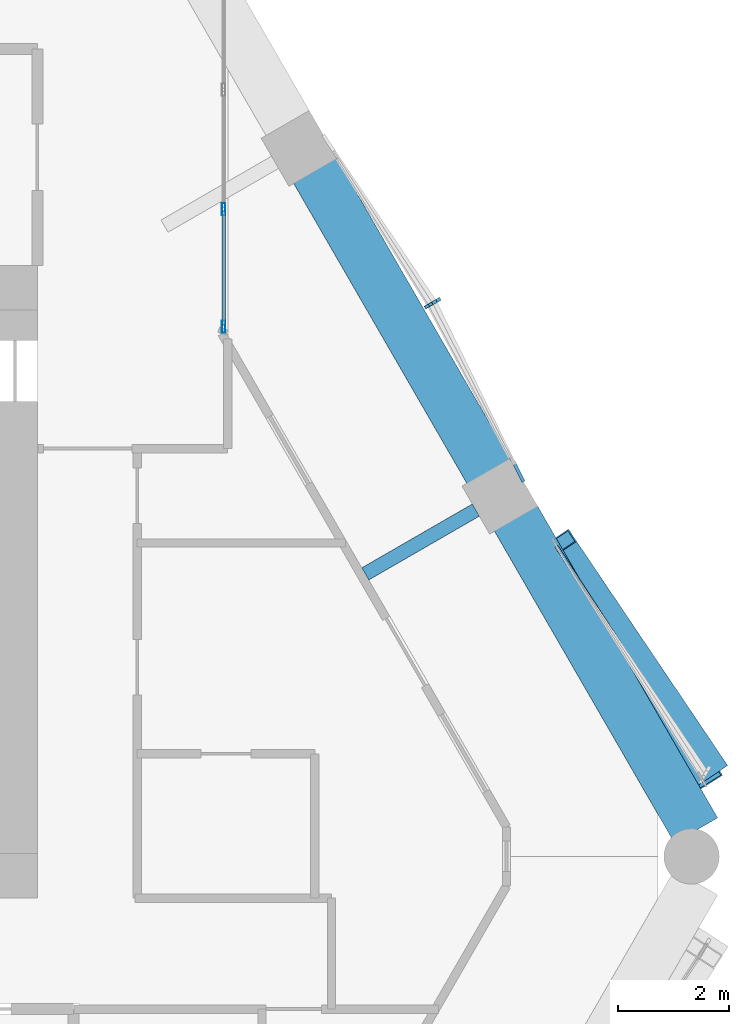
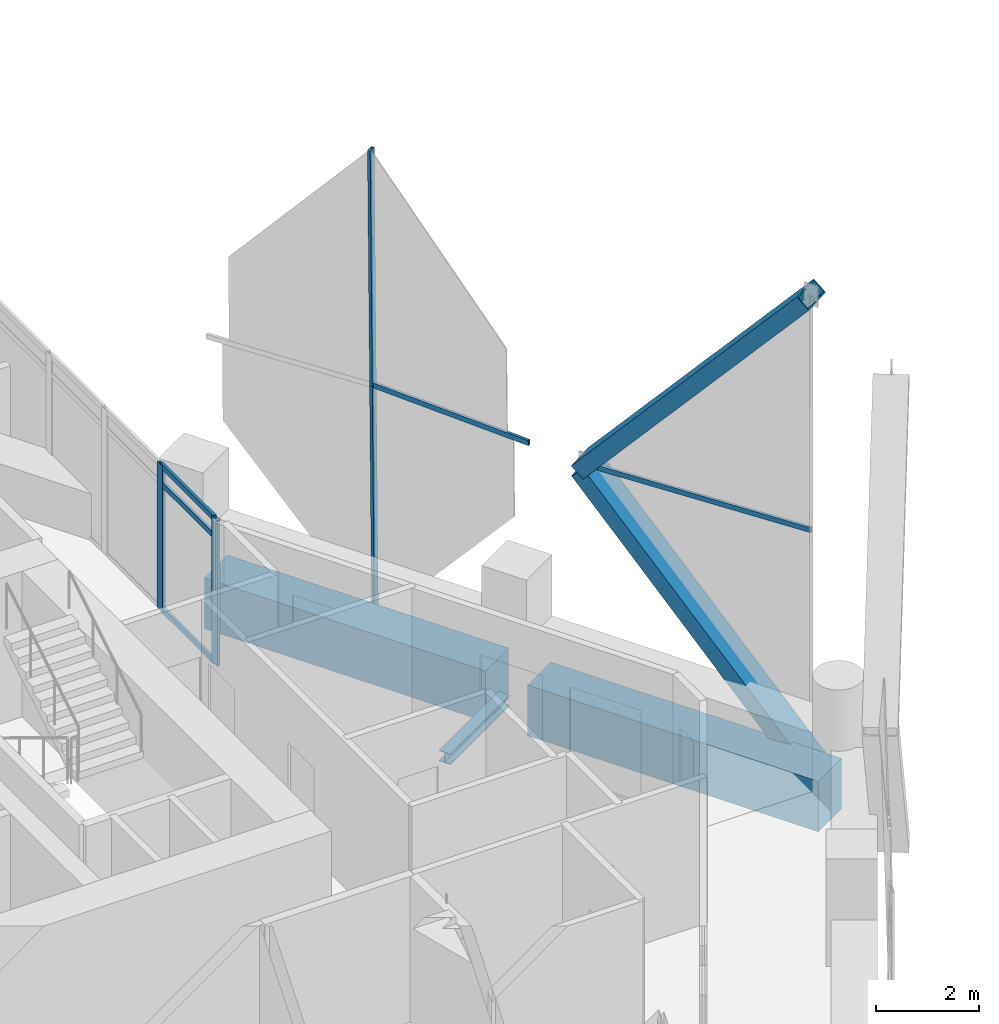
# One storey, part 23 of 37: 11 members, 3 beams, 3 elements without a shape of their own.
"""IFC4 building model written with IfcOpenShell, lengths in metres."""

from ifc_helpers import new_model, si_unit, direction, frame, origin, origin_2d, place, context, subcontext, project, spatial, rectangle, hollow_rectangle, i_section, extrude, material, material_profile, profile_set, type_object, element, aggregate, save


model = new_model("IFC4")

# Units and contexts
model_context = context("Model", 3, precision=1e-05, world=origin(), true_north=direction((0.0, 1.0)))
body_context = subcontext(model_context, "Body", "Model", "MODEL_VIEW")
ifc_project = project(units=[si_unit("LENGTHUNIT", "METRE"), si_unit("AREAUNIT", "SQUARE_METRE"), si_unit("VOLUMEUNIT", "CUBIC_METRE"), si_unit("PLANEANGLEUNIT", "RADIAN"), si_unit("MASSUNIT", "GRAM", prefix="KILO")], contexts=[model_context])

# Site, building, storey
site_placement = place(None, origin())
site = spatial("IfcSite", under=ifc_project, at=site_placement, CompositionType="ELEMENT")
building_placement = place(site_placement, origin())
building = spatial("IfcBuilding", under=site, at=building_placement, Name="Ostrander Bayou Hotel Tower", CompositionType="ELEMENT")
storey_placement = place(building_placement, frame((0.0, 0.0, 198.25)))
storey = spatial("IfcBuildingStorey", under=building, at=storey_placement, Name="L49", CompositionType="ELEMENT", Elevation=198.25)

# Curtain wall, members
ifc_material_1 = material(Name="Aluminium and clear glass", Category="aluminium")
curtain_wall_type_1 = type_object("IfcCurtainWallType", Name="CW-BAR glazed wall", PredefinedType="NOTDEFINED", material=ifc_material_1)
curtain_wall_1_placement = place(storey_placement, origin())
curtain_wall_1 = element("IfcCurtainWall", 1, at=curtain_wall_1_placement, inside=storey, type_object=curtain_wall_type_1, Name="CW-BAR L49:SB4N:W", PredefinedType="NOTDEFINED")
ifc_material_2 = material(Name="Aluminium", Category="aluminium")
ifc_material_profile_1 = material_profile(ifc_material_2, hollow_rectangle(XDim=0.06005859375, YDim=0.219970703125, WallThickness=0.00390625, at=origin_2d()))
ifc_profile_set_1 = profile_set([ifc_material_profile_1], Name="Aluminium")
member_type_1 = type_object("IfcMemberType", Name="CW-BR mullion 60 x 220 mm", PredefinedType="MULLION", material=ifc_profile_set_1)
member_1_placement = place(storey_placement, frame((11.857177734375, 8.594482421875, 0.0), z_axis=(0.0, 0.0, 1.0), x_axis=(-1.0, 0.0, 0.0)))
member_1 = element("IfcMember", 2, at=member_1_placement, type_object=member_type_1, Name="CW-BAR mullion 1", PredefinedType="MULLION", context=body_context, shape_type="SweptSolid", body=[
    extrude(hollow_rectangle(XDim=0.06005859375, YDim=0.219970703125, WallThickness=0.00390625, at=origin_2d()), origin(), (0.0, 0.0, 1.0), 3.449951171875),
])
member_2_placement = place(storey_placement, frame((11.857177734375, 10.714599609375, 0.0), z_axis=(0.0, 0.0, 1.0), x_axis=(-1.0, 0.0, 0.0)))
member_2 = element("IfcMember", 3, at=member_2_placement, type_object=member_type_1, Name="CW-BAR mullion 2", PredefinedType="MULLION", context=body_context, shape_type="SweptSolid", body=[
    extrude(hollow_rectangle(XDim=0.06005859375, YDim=0.219970703125, WallThickness=0.00390625, at=origin_2d()), origin(), (0.0, 0.0, 1.0), 3.449951171875),
])
ifc_material_3 = material(Name="Aluminium", Category="aluminium")
ifc_material_profile_2 = material_profile(ifc_material_3, hollow_rectangle(XDim=0.06005859375, YDim=0.1298828125, WallThickness=0.00390625, at=origin_2d()))
ifc_profile_set_2 = profile_set([ifc_material_profile_2], Name="Aluminium")
member_type_2 = type_object("IfcMemberType", Name="CW-BR transom 60 x 130 mm", PredefinedType="USERDEFINED", material=ifc_profile_set_2)
member_3_placement = place(storey_placement, frame((11.857177734375, 8.62451171875, 0.030029296875), z_axis=(0.0, 1.0, 0.0), x_axis=(-1.0, 0.0, 0.0)))
member_3 = element("IfcMember", 4, at=member_3_placement, type_object=member_type_2, Name="CW-BAR transom 1.1", ObjectType="TRANSOM", PredefinedType="USERDEFINED", context=body_context, shape_type="SweptSolid", body=[
    extrude(hollow_rectangle(XDim=0.06005859375, YDim=0.1298828125, WallThickness=0.00390625, at=origin_2d()), origin(), (0.0, 0.0, 1.0), 2.06005859375),
])
member_4_placement = place(storey_placement, frame((11.857177734375, 8.62451171875, 3.0), z_axis=(0.0, 1.0, 0.0), x_axis=(-1.0, 0.0, 0.0)))
member_4 = element("IfcMember", 5, at=member_4_placement, type_object=member_type_2, Name="CW-BAR transom 1.2", ObjectType="TRANSOM", PredefinedType="USERDEFINED", context=body_context, shape_type="SweptSolid", body=[
    extrude(hollow_rectangle(XDim=0.06005859375, YDim=0.1298828125, WallThickness=0.00390625, at=origin_2d()), origin(), (0.0, 0.0, 1.0), 2.06005859375),
])
member_5_placement = place(storey_placement, frame((11.857177734375, 8.62451171875, 3.419921875), z_axis=(0.0, 1.0, 0.0), x_axis=(-1.0, 0.0, 0.0)))
member_5 = element("IfcMember", 6, at=member_5_placement, type_object=member_type_2, Name="CW-BAR transom 1.3", ObjectType="TRANSOM", PredefinedType="USERDEFINED", context=body_context, shape_type="SweptSolid", body=[
    extrude(hollow_rectangle(XDim=0.06005859375, YDim=0.1298828125, WallThickness=0.00390625, at=origin_2d()), origin(), (0.0, 0.0, 1.0), 2.06005859375),
])
aggregate(curtain_wall_1, [member_1, member_2, member_3, member_4, member_5])

ifc_material_4 = material(Name="Aluminium and clear glass", Category="aluminium")
curtain_wall_type_2 = type_object("IfcCurtainWallType", Name="CW-LAT lattice glazing", PredefinedType="NOTDEFINED", material=ifc_material_4)
curtain_wall_2_placement = place(storey_placement, origin())
curtain_wall_2 = element("IfcCurtainWall", 7, at=curtain_wall_2_placement, inside=storey, type_object=curtain_wall_type_2, Name="CW-LAT L49 NE 1", PredefinedType="NOTDEFINED")
ifc_material_5 = material(Name="Aluminium", Category="aluminium")
ifc_material_profile_3 = material_profile(ifc_material_5, hollow_rectangle(XDim=0.06005859375, YDim=0.159912109375, WallThickness=0.00390625, at=origin_2d()))
ifc_profile_set_3 = profile_set([ifc_material_profile_3], Name="Aluminium")
member_type_3 = type_object("IfcMemberType", Name="CW-LA mullion 60 x 160 mm", PredefinedType="MULLION", material=ifc_profile_set_3)
member_6_placement = place(storey_placement, frame((15.693115234375, 9.060302734375, -0.60009765625), z_axis=(-0.012585478078, -0.007247499445, 0.999894534185), x_axis=(0.499032451057, -0.866583298242, 0.0)))
member_6 = element("IfcMember", 8, at=member_6_placement, type_object=member_type_3, Name="CW-LAT mullion 4", PredefinedType="MULLION", context=body_context, shape_type="SweptSolid", body=[
    extrude(hollow_rectangle(XDim=0.06005859375, YDim=0.159912109375, WallThickness=0.00390625, at=origin_2d()), origin(), (0.0, 0.0, 1.0), 5.62548828125),
])
member_7_placement = place(storey_placement, frame((15.622314453125, 9.01953125, 5.02490234375), z_axis=(-0.012585474108, -0.007290895345, 0.999894218748), x_axis=(0.501271486133, -0.865290065348, 0.0)))
member_7 = element("IfcMember", 9, at=member_7_placement, type_object=member_type_3, Name="CW-LAT mullion 5", PredefinedType="MULLION", context=body_context, shape_type="SweptSolid", body=[
    extrude(hollow_rectangle(XDim=0.06005859375, YDim=0.159912109375, WallThickness=0.00390625, at=origin_2d()), origin(), (0.0, 0.0, 1.0), 5.62548828125),
])
aggregate(curtain_wall_2, [member_6, member_7])

curtain_wall_3_placement = place(storey_placement, origin())
curtain_wall_3 = element("IfcCurtainWall", 10, at=curtain_wall_3_placement, inside=storey, type_object=curtain_wall_type_2, Name="CW-LAT L49 NE 2", PredefinedType="NOTDEFINED")
ifc_material_6 = material(Name="Aluminium", Category="aluminium")
ifc_material_profile_4 = material_profile(ifc_material_6, hollow_rectangle(XDim=0.06005859375, YDim=0.1201171875, WallThickness=0.00390625, at=origin_2d()))
ifc_profile_set_4 = profile_set([ifc_material_profile_4], Name="Aluminium")
member_type_4 = type_object("IfcMemberType", Name="CW-LA transom 60 x 120 mm", PredefinedType="USERDEFINED", material=ifc_profile_set_4)
member_8_placement = place(storey_placement, frame((20.529052734375, 0.5205078125, 5.02490234375), z_axis=(-0.544418878198, 0.838813498379, 0.0), x_axis=(-0.838813498379, -0.544418878198, 0.0)))
member_8 = element("IfcMember", 11, at=member_8_placement, type_object=member_type_4, Name="CW-LAT transom 3", ObjectType="TRANSOM", PredefinedType="USERDEFINED", context=body_context, shape_type="SweptSolid", body=[
    extrude(hollow_rectangle(XDim=0.06005859375, YDim=0.1201171875, WallThickness=0.00390625, at=origin_2d()), origin(), (0.0, 0.0, 1.0), 4.91357421875),
])
member_9_placement = place(storey_placement, frame((15.622314453125, 9.01953125, 5.02490234375), z_axis=(0.454203228225, -0.89089810162, 0.0), x_axis=(0.89089810162, 0.454203228225, 0.0)))
member_9 = element("IfcMember", 12, at=member_9_placement, type_object=member_type_4, Name="CW-LAT transom 6", ObjectType="TRANSOM", PredefinedType="USERDEFINED", context=body_context, shape_type="SweptSolid", body=[
    extrude(hollow_rectangle(XDim=0.06005859375, YDim=0.1201171875, WallThickness=0.00390625, at=origin_2d()), origin(), (0.0, 0.0, 1.0), 3.611572265625),
])
aggregate(curtain_wall_3, [member_8, member_9])

# Beam
ifc_material_7 = material(Name="Steel ASTM A992", Category="steel")
ifc_material_profile_5 = material_profile(ifc_material_7, i_section(OverallWidth=0.25390625, OverallDepth=0.25341796875, WebThickness=0.008544921875, FlangeThickness=0.01416015625, at=origin_2d()))
ifc_profile_set_5 = profile_set([ifc_material_profile_5], Name="Steel ASTM A992")
beam_type_1 = type_object("IfcBeamType", Name="LB2 loggia bracket W10x49", PredefinedType="BEAM", material=ifc_profile_set_5)
beam_1_placement = place(storey_placement, frame((16.40234375, 5.2919921875, -0.4267578125), z_axis=(-0.866053019151, -0.499952165731, 0.0), x_axis=(0.499952165731, -0.866053019151, 0.0)))
element("IfcBeam", 13, at=beam_1_placement, inside=storey, type_object=beam_type_1, Name="LB2 L49 NE1", PredefinedType="BEAM", context=body_context, shape_type="SweptSolid", body=[
    extrude(i_section(OverallWidth=0.25390625, OverallDepth=0.25341796875, WebThickness=0.008544921875, FlangeThickness=0.01416015625, at=origin_2d()), origin(), (0.0, 0.0, 1.0), 2.300048828125),
])

# Members
ifc_material_8 = material(Name="Steel ASTM A572 Gr 50", Category="steel")
ifc_material_profile_6 = material_profile(ifc_material_8, hollow_rectangle(XDim=0.699951171875, YDim=0.35009765625, WallThickness=0.02490234375, at=origin_2d()))
ifc_profile_set_6 = profile_set([ifc_material_profile_6], Name="Steel ASTM A572 Gr 50")
member_type_5 = type_object("IfcMemberType", Name="LT1 lattice member box 700 x 350 x 25 mm", PredefinedType="BRACE", material=ifc_profile_set_6)
member_10_placement = place(storey_placement, frame((17.85400390625, 4.64208984375, 5.02490234375), z_axis=(0.365854488383, -0.542892495675, -0.755922106748), x_axis=(0.829271981534, 0.558845220649, 0.0)))
element("IfcMember", 14, at=member_10_placement, inside=storey, type_object=member_type_5, Name="LT1 L49 NE 1", PredefinedType="BRACE", context=body_context, shape_type="SweptSolid", body=[
    extrude(hollow_rectangle(XDim=0.699951171875, YDim=0.35009765625, WallThickness=0.02490234375, at=origin_2d()), origin(), (0.0, 0.0, 1.0), 7.441162109375),
])
member_11_placement = place(storey_placement, frame((17.85400390625, 4.64208984375, 5.02490234375), z_axis=(0.35049983728, -0.560623903609, 0.750233765415), x_axis=(0.847923591729, 0.530118460903, 0.0)))
element("IfcMember", 15, at=member_11_placement, inside=storey, type_object=member_type_5, Name="LT1 L49 NE 2", PredefinedType="BRACE", context=body_context, shape_type="SweptSolid", body=[
    extrude(hollow_rectangle(XDim=0.699951171875, YDim=0.35009765625, WallThickness=0.02490234375, at=origin_2d()), origin(), (0.0, 0.0, 1.0), 7.49755859375),
])

# Beams
ifc_material_9 = material(Name="Concrete f'c 60 MPa", Category="concrete")
ifc_material_profile_7 = material_profile(ifc_material_9, rectangle(XDim=0.89990234375, YDim=1.199951171875, at=origin_2d()))
ifc_profile_set_7 = profile_set([ifc_material_profile_7], Name="Concrete f'c 60 MPa")
beam_type_2 = type_object("IfcBeamType", Name="SP3 spandrel beam 900 x 1200 mm f'c 60 MPa", PredefinedType="SPANDREL", material=ifc_profile_set_7)
beam_2_placement = place(storey_placement, frame((20.36962890625, -0.4794921875, -0.60009765625), z_axis=(-0.500022104698, 0.866012641255, 0.0), x_axis=(-0.866012641255, -0.500022104698, 0.0)))
element("IfcBeam", 16, at=beam_2_placement, inside=storey, type_object=beam_type_2, Name="SP3 L49 NE-1", PredefinedType="SPANDREL", context=body_context, shape_type="SweptSolid", body=[
    extrude(rectangle(XDim=0.89990234375, YDim=1.199951171875, at=origin_2d()), origin(), (0.0, 0.0, 1.0), 6.511962890625),
])
beam_3_placement = place(storey_placement, frame((16.6435546875, 5.97412109375, -0.60009765625), z_axis=(-0.499984268907, 0.866034485945, 0.0), x_axis=(-0.866034485945, -0.499984268907, 0.0)))
element("IfcBeam", 17, at=beam_3_placement, inside=storey, type_object=beam_type_2, Name="SP3 L49 NE-2", PredefinedType="SPANDREL", context=body_context, shape_type="SweptSolid", body=[
    extrude(rectangle(XDim=0.89990234375, YDim=1.199951171875, at=origin_2d()), origin(), (0.0, 0.0, 1.0), 6.296142578125),
])

save(model, "model.ifc")
